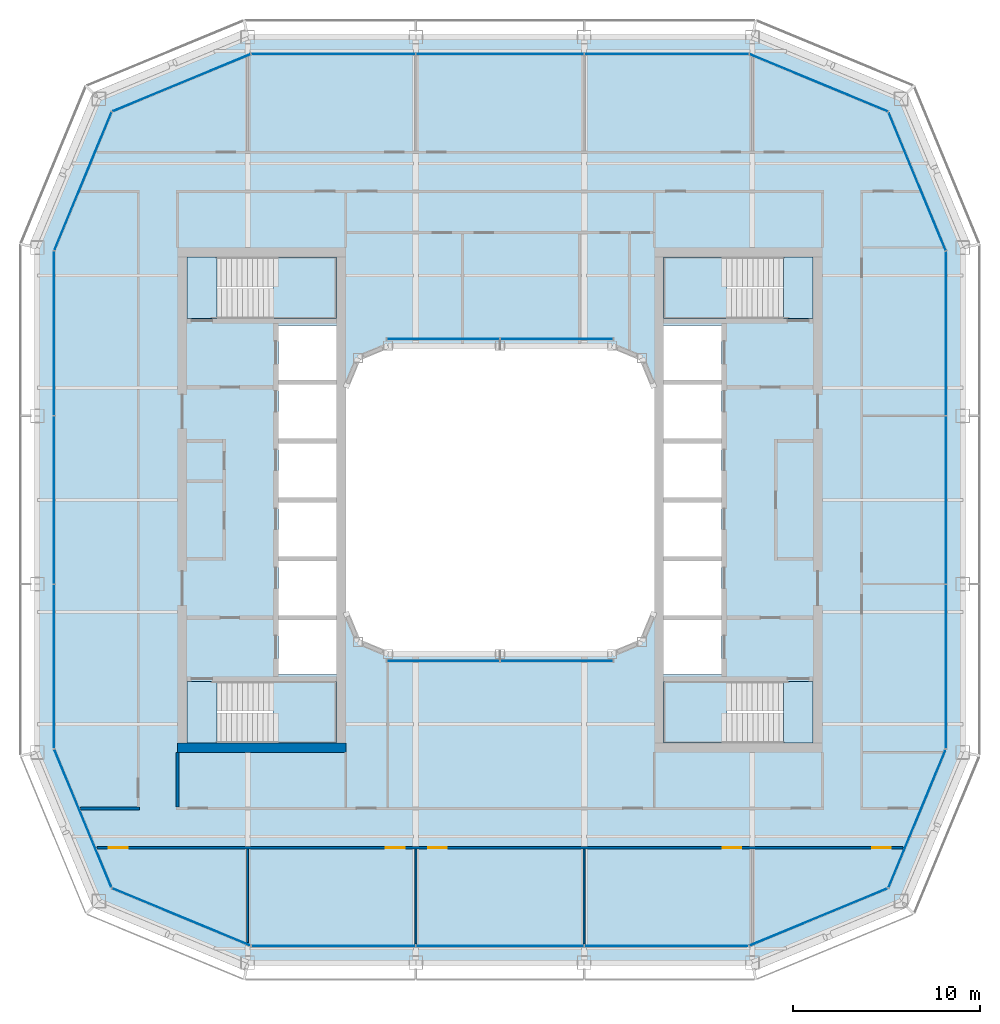
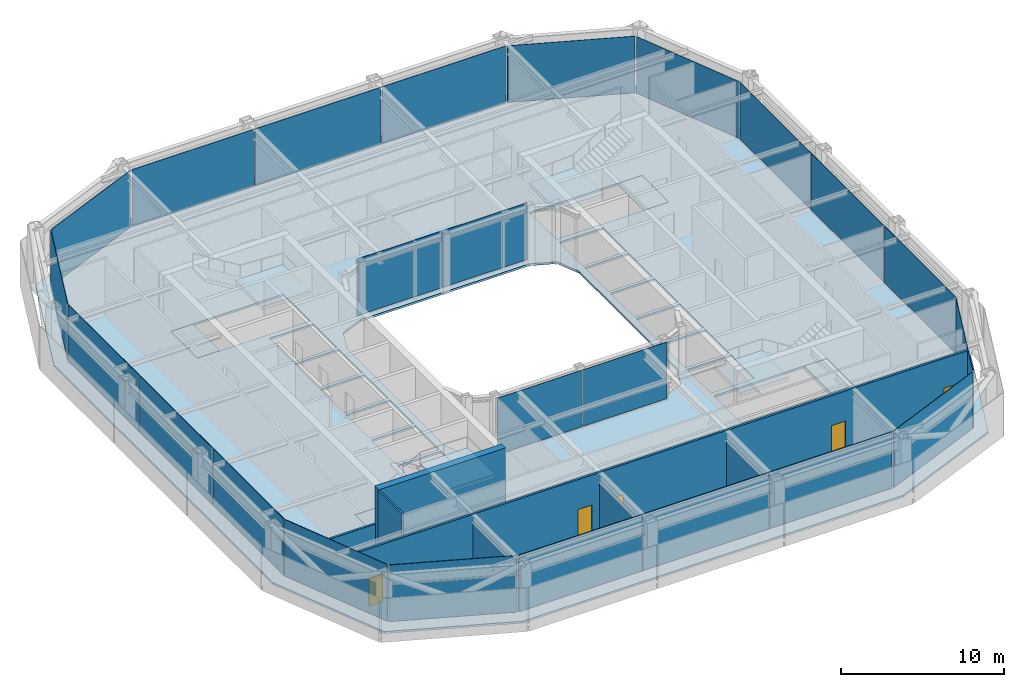
# One storey, part 9 of 17: 24 plates, 9 slabs, 7 walls, 5 doors, 5 openings, 18 elements without a shape of their own.
"""IFC4 building model written with IfcOpenShell, lengths in metres."""

import ifcopenshell
import ifcopenshell.guid

model = None  # the IFC model being written
_history = None  # IfcOwnerHistory: only IFC2X3 demands one
_inside = {}  # id of a spatial element -> (the spatial element, [elements in it])
_under = {}  # id of a project, library or spatial element -> (it, [spatial elements below it])
_declared = {}  # id of a project -> (the project, [libraries it declares])
_typed = {}  # id of a type object -> (the type object, [elements of that type])
_made_of = {}  # id of a material, layer set ... -> (it, [elements and type objects made of it])


def new_model(schema):
    """Start an empty IFC model of exactly this schema.

    Asked for "IFC4X3", IfcOpenShell would pick the latest addendum, in which some entities
    have other attributes; the version numbers below select the first issue.
    IFC2X3 requires an IfcOwnerHistory on every rooted entity: one is made here for all.
    """
    global model, _history
    if schema == "IFC4X3":
        model = ifcopenshell.file(schema_version=(4, 3, 0, 0))
    else:
        model = ifcopenshell.file(schema=schema)
    _inside.clear()
    _under.clear()
    _declared.clear()
    _typed.clear()
    _made_of.clear()
    _history = None
    if model.schema == "IFC2X3":
        org = make("IfcOrganization", Name="unknown")
        user = make(
            "IfcPersonAndOrganization",
            ThePerson=make("IfcPerson", FamilyName="unknown"),
            TheOrganization=org,
        )
        app = make(
            "IfcApplication",
            ApplicationDeveloper=org,
            Version="unknown",
            ApplicationFullName="unknown",
            ApplicationIdentifier="unknown",
        )
        _history = make(
            "IfcOwnerHistory",
            OwningUser=user,
            OwningApplication=app,
            ChangeAction="ADDED",
            CreationDate=0,
        )
    return model


def make(cls, **values):
    """One entity of the class cls with the attributes given. An attribute that is None is left unset."""
    return model.create_entity(
        cls, **{name: value for name, value in values.items() if value is not None}
    )


def rooted(cls, **values):
    """An entity with a GlobalId (a new one), such as an element, a storey or a relation."""
    return make(cls, GlobalId=ifcopenshell.guid.new(), OwnerHistory=_history, **values)


def si_unit(unit_type, name, prefix=None):
    """IfcSIUnit, for example si_unit("LENGTHUNIT", "METRE", prefix="MILLI")."""
    return make("IfcSIUnit", UnitType=unit_type, Prefix=prefix, Name=name)


def assignment(units):
    """IfcUnitAssignment: the units of a project."""
    return None if units is None else make("IfcUnitAssignment", Units=units)


def point(xyz):
    """IfcCartesianPoint."""
    return None if xyz is None else make("IfcCartesianPoint", Coordinates=xyz)


def direction(xyz):
    """IfcDirection."""
    return None if xyz is None else make("IfcDirection", DirectionRatios=xyz)


def frame(location, z_axis=None, x_axis=None):
    """IfcAxis2Placement3D, a coordinate frame: its origin and axes. An axis left out is left unset."""
    return make(
        "IfcAxis2Placement3D",
        Location=point(location),
        Axis=direction(z_axis),
        RefDirection=direction(x_axis),
    )


def frame_2d(location, x_axis=None):
    """IfcAxis2Placement2D, a coordinate frame in the plane: its origin and x axis."""
    return make(
        "IfcAxis2Placement2D", Location=point(location), RefDirection=direction(x_axis)
    )


def origin():
    """The frame at (0, 0, 0) with its axes left unset."""
    return frame((0.0, 0.0, 0.0))


def origin_2d():
    """The frame at (0, 0) in the plane with its x axis left unset."""
    return frame_2d((0.0, 0.0))


def place(relative_to, where):
    """IfcLocalPlacement: puts the frame where relative to a parent placement (None: the world)."""
    return make(
        "IfcLocalPlacement", PlacementRelTo=relative_to, RelativePlacement=where
    )


def context(
    kind, dimensions, precision=None, world=None, true_north=None, identifier=None
):
    """IfcGeometricRepresentationContext, for example the 3D "Model" context."""
    return make(
        "IfcGeometricRepresentationContext",
        ContextIdentifier=identifier,
        ContextType=kind,
        CoordinateSpaceDimension=dimensions,
        Precision=precision,
        WorldCoordinateSystem=world,
        TrueNorth=true_north,
    )


def subcontext(parent, identifier, kind, view, scale=None):
    """IfcGeometricRepresentationSubContext, for example "Body" below "Model"."""
    return make(
        "IfcGeometricRepresentationSubContext",
        ContextIdentifier=identifier,
        ContextType=kind,
        ParentContext=parent,
        TargetScale=scale,
        TargetView=view,
    )


def project(units=None, contexts=None):
    """IfcProject with its units and contexts."""
    return rooted(
        "IfcProject",
        Name="project",
        RepresentationContexts=contexts,
        UnitsInContext=assignment(units),
    )


def spatial(cls, under=None, at=None, **own):
    """A site, building, storey or space (cls), placed at a placement, below another one or the project."""
    s = rooted(cls, ObjectPlacement=at, **own)
    if under is not None:
        _under.setdefault(under.id(), (under, []))[1].append(s)
    return s


def polyline(points):
    """IfcPolyline through the points."""
    return make("IfcPolyline", Points=[point(p) for p in points])


def profile(cls, at=None, kind="AREA", **sizes):
    """A parametric profile (cls). Its sizes go by their IFC names, for example OverallWidth=200.0."""
    return make(cls, ProfileType=kind, Position=at, **sizes)


def rectangle(**sizes):
    """IfcRectangleProfileDef."""
    return profile("IfcRectangleProfileDef", **sizes)


def outline(outer, holes=None, kind="AREA"):
    """IfcArbitraryClosedProfileDef: a profile drawn as a closed curve; with holes, ...WithVoids."""
    if holes is None:
        return make("IfcArbitraryClosedProfileDef", ProfileType=kind, OuterCurve=outer)
    return make(
        "IfcArbitraryProfileDefWithVoids",
        ProfileType=kind,
        OuterCurve=outer,
        InnerCurves=holes,
    )


def extrude(swept, where, along, depth):
    """IfcExtrudedAreaSolid: the profile swept, set in the frame where, extruded along a direction by depth."""
    return make(
        "IfcExtrudedAreaSolid",
        SweptArea=swept,
        Position=where,
        ExtrudedDirection=direction(along),
        Depth=depth,
    )


def shape(context_of_items, identifier, shape_type, items):
    """IfcShapeRepresentation: the items that make up one representation, for example the "Body"."""
    return make(
        "IfcShapeRepresentation",
        ContextOfItems=context_of_items,
        RepresentationIdentifier=identifier,
        RepresentationType=shape_type,
        Items=items,
    )


def material(Name=None, Category=None):
    """IfcMaterial."""
    return make("IfcMaterial", Name=Name, Category=Category)


def layer(
    of_material, thickness, ventilated=None, Name=None, Category=None, Priority=None
):
    """IfcMaterialLayer: one layer of a wall or slab, of a material (None: an air gap)."""
    return make(
        "IfcMaterialLayer",
        Material=of_material,
        LayerThickness=thickness,
        IsVentilated=ventilated,
        Name=Name,
        Category=Category,
        Priority=Priority,
    )


def layer_set(layers, Name=None):
    """IfcMaterialLayerSet."""
    return make("IfcMaterialLayerSet", MaterialLayers=layers, LayerSetName=Name)


def made_of(thing, what):
    """Note that an element or type object is made of a material, layer set ...; save() writes the relation."""
    if what is not None:
        _made_of.setdefault(what.id(), (what, []))[1].append(thing)
    return thing


def type_object(cls, material=None, **own):
    """A type object (cls), such as IfcWallType, which elements share."""
    return made_of(rooted(cls, **own), material)


def element(
    cls,
    number,
    at=None,
    inside=None,
    cuts=None,
    type_object=None,
    material=None,
    context=None,
    identifier="Body",
    shape_type=None,
    held_by="IfcProductDefinitionShape",
    body=None,
    shapes=None,
    **own,
):
    """One element of the class cls, such as IfcWall. Its Tag is "e" and its number.

    at: its placement. inside: the storey or other place that contains it. cuts: it is an
    opening in that element (IfcRelVoidsElement). A single representation is given by context,
    identifier, shape_type and body (its items); several are given by shapes. held_by: the class
    of the entity that holds the representations. save() writes the other relations.
    """
    e = rooted(cls, Tag="e%d" % number, ObjectPlacement=at, **own)
    if body is not None:
        shapes = [shape(context, identifier, shape_type, body)]
    if shapes is not None:
        e.Representation = make(held_by, Representations=shapes)
    if inside is not None:
        _inside.setdefault(inside.id(), (inside, []))[1].append(e)
    if cuts is not None:
        rooted(
            "IfcRelVoidsElement", RelatingBuildingElement=cuts, RelatedOpeningElement=e
        )
    if type_object is not None:
        _typed.setdefault(type_object.id(), (type_object, []))[1].append(e)
    return made_of(e, material)


def fill(opening, filler):
    """IfcRelFillsElement: the door or window that sits in an opening."""
    return rooted(
        "IfcRelFillsElement",
        RelatingOpeningElement=opening,
        RelatedBuildingElement=filler,
    )


def aggregate(whole, parts):
    """IfcRelAggregates: a whole, such as a stair, and the parts it consists of."""
    return rooted("IfcRelAggregates", RelatingObject=whole, RelatedObjects=parts)


def save(model, path):
    """Write the relations noted so far, then the file.

    IfcRelAggregates (storeys below a building ...), IfcRelContainedInSpatialStructure (elements
    in a storey), IfcRelDefinesByType, IfcRelAssociatesMaterial and IfcRelDeclares: one each for
    every whole, place, type object, material and project.
    """
    for whole, parts in _under.values():
        aggregate(whole, parts)
    for where, things in _inside.values():
        rooted(
            "IfcRelContainedInSpatialStructure",
            RelatedElements=things,
            RelatingStructure=where,
        )
    for kind, things in _typed.values():
        rooted("IfcRelDefinesByType", RelatedObjects=things, RelatingType=kind)
    for what, things in _made_of.values():
        rooted("IfcRelAssociatesMaterial", RelatedObjects=things, RelatingMaterial=what)
    for by, libraries in _declared.values():
        rooted("IfcRelDeclares", RelatingContext=by, RelatedDefinitions=libraries)
    model.write(path)


model = new_model("IFC4")

# Units and contexts
model_context = context("Model", 3, precision=1e-05, world=origin(), true_north=direction((0.0, 1.0)))
body_context = subcontext(model_context, "Body", "Model", "MODEL_VIEW")
ifc_project = project(units=[si_unit("LENGTHUNIT", "METRE"), si_unit("AREAUNIT", "SQUARE_METRE"), si_unit("VOLUMEUNIT", "CUBIC_METRE"), si_unit("PLANEANGLEUNIT", "RADIAN"), si_unit("MASSUNIT", "GRAM", prefix="KILO")], contexts=[model_context])

# Site, building, storey
site_placement = place(None, origin())
site = spatial("IfcSite", under=ifc_project, at=site_placement, CompositionType="ELEMENT")
building_placement = place(site_placement, origin())
building = spatial("IfcBuilding", under=site, at=building_placement, Name="Siwar Civic Tower", CompositionType="ELEMENT")
storey_placement = place(building_placement, frame((0.0, 0.0, 289.699951171875)))
storey = spatial("IfcBuildingStorey", under=building, at=storey_placement, Name="L62", CompositionType="ELEMENT", Elevation=289.699951171875)

# Stair, slabs
ifc_material_1 = material(Name="Concrete C40/50", Category="concrete")
stair_type = type_object("IfcStairType", Name="CORE-STAIR", PredefinedType="TWO_STRAIGHT_RUN_STAIR", material=ifc_material_1)
stair_1_placement = place(storey_placement, origin())
stair_1 = element("IfcStair", 1, at=stair_1_placement, inside=storey, type_object=stair_type, Name="Exit stair ST1", PredefinedType="TWO_STRAIGHT_RUN_STAIR")
ifc_material_2 = material(Name="Concrete C40/50", Category="concrete")
ifc_layer_1 = layer(ifc_material_2, 0.300048828125)
ifc_layer_set_1 = layer_set([ifc_layer_1], Name="Concrete C40/50")
slab_type_1 = type_object("IfcSlabType", Name="CORE-STAIR-LANDING", PredefinedType="LANDING", material=ifc_layer_set_1)
slab_1_placement = place(storey_placement, frame((0.0, 0.0, -0.300048828125)))
slab_1 = element("IfcSlab", 2, at=slab_1_placement, type_object=slab_type_1, Name="ST1 landing 1", PredefinedType="LANDING", context=body_context, shape_type="SweptSolid", body=[
    extrude(outline(polyline([(-15.14990234375, 13.0), (-16.75, 13.0), (-16.75, 9.699951171875), (-15.14990234375, 9.699951171875), (-15.14990234375, 13.0)])), origin(), (0.0, 0.0, 1.0), 0.300048828125),
])
slab_2_placement = place(storey_placement, frame((0.0, 0.0, 1.949951171875)))
slab_2 = element("IfcSlab", 3, at=slab_2_placement, type_object=slab_type_1, Name="ST1 landing 2", PredefinedType="LANDING", context=body_context, shape_type="SweptSolid", body=[
    extrude(outline(polyline([(-8.75, 13.0), (-12.139892578125, 13.0), (-12.139892578125, 9.699951171875), (-8.75, 9.699951171875), (-8.75, 13.0)])), origin(), (0.0, 0.0, 1.0), 0.300048828125),
])
aggregate(stair_1, [slab_1, slab_2])

stair_2_placement = place(storey_placement, origin())
stair_2 = element("IfcStair", 4, at=stair_2_placement, inside=storey, type_object=stair_type, Name="Exit stair ST2", PredefinedType="TWO_STRAIGHT_RUN_STAIR")
slab_3_placement = place(storey_placement, frame((0.0, 0.0, -0.300048828125)))
slab_3 = element("IfcSlab", 5, at=slab_3_placement, type_object=slab_type_1, Name="ST2 landing 1", PredefinedType="LANDING", context=body_context, shape_type="SweptSolid", body=[
    extrude(outline(polyline([(-15.14990234375, -9.699951171875), (-16.75, -9.699951171875), (-16.75, -13.0), (-15.14990234375, -13.0), (-15.14990234375, -9.699951171875)])), origin(), (0.0, 0.0, 1.0), 0.300048828125),
])
slab_4_placement = place(storey_placement, frame((0.0, 0.0, 1.949951171875)))
slab_4 = element("IfcSlab", 6, at=slab_4_placement, type_object=slab_type_1, Name="ST2 landing 2", PredefinedType="LANDING", context=body_context, shape_type="SweptSolid", body=[
    extrude(outline(polyline([(-8.75, -9.699951171875), (-12.139892578125, -9.699951171875), (-12.139892578125, -13.0), (-8.75, -13.0), (-8.75, -9.699951171875)])), origin(), (0.0, 0.0, 1.0), 0.300048828125),
])
aggregate(stair_2, [slab_3, slab_4])

stair_3_placement = place(storey_placement, origin())
stair_3 = element("IfcStair", 7, at=stair_3_placement, inside=storey, type_object=stair_type, Name="Exit stair ST3", PredefinedType="TWO_STRAIGHT_RUN_STAIR")
slab_5_placement = place(storey_placement, frame((0.0, 0.0, -0.300048828125)))
slab_5 = element("IfcSlab", 8, at=slab_5_placement, type_object=slab_type_1, Name="ST3 landing 1", PredefinedType="LANDING", context=body_context, shape_type="SweptSolid", body=[
    extrude(outline(polyline([(15.14990234375, 9.699951171875), (16.75, 9.699951171875), (16.75, 13.0), (15.14990234375, 13.0), (15.14990234375, 9.699951171875)])), origin(), (0.0, 0.0, 1.0), 0.300048828125),
])
slab_6_placement = place(storey_placement, frame((0.0, 0.0, 1.949951171875)))
slab_6 = element("IfcSlab", 9, at=slab_6_placement, type_object=slab_type_1, Name="ST3 landing 2", PredefinedType="LANDING", context=body_context, shape_type="SweptSolid", body=[
    extrude(outline(polyline([(8.75, 9.699951171875), (12.139892578125, 9.699951171875), (12.139892578125, 13.0), (8.75, 13.0), (8.75, 9.699951171875)])), origin(), (0.0, 0.0, 1.0), 0.300048828125),
])
aggregate(stair_3, [slab_5, slab_6])

stair_4_placement = place(storey_placement, origin())
stair_4 = element("IfcStair", 10, at=stair_4_placement, inside=storey, type_object=stair_type, Name="Exit stair ST4", PredefinedType="TWO_STRAIGHT_RUN_STAIR")
slab_7_placement = place(storey_placement, frame((0.0, 0.0, -0.300048828125)))
slab_7 = element("IfcSlab", 11, at=slab_7_placement, type_object=slab_type_1, Name="ST4 landing 1", PredefinedType="LANDING", context=body_context, shape_type="SweptSolid", body=[
    extrude(outline(polyline([(15.14990234375, -13.0), (16.75, -13.0), (16.75, -9.699951171875), (15.14990234375, -9.699951171875), (15.14990234375, -13.0)])), origin(), (0.0, 0.0, 1.0), 0.300048828125),
])
slab_8_placement = place(storey_placement, frame((0.0, 0.0, 1.949951171875)))
slab_8 = element("IfcSlab", 12, at=slab_8_placement, type_object=slab_type_1, Name="ST4 landing 2", PredefinedType="LANDING", context=body_context, shape_type="SweptSolid", body=[
    extrude(outline(polyline([(8.75, -13.0), (12.139892578125, -13.0), (12.139892578125, -9.699951171875), (8.75, -9.699951171875), (8.75, -13.0)])), origin(), (0.0, 0.0, 1.0), 0.300048828125),
])
aggregate(stair_4, [slab_7, slab_8])

# Curtain wall, plates
ifc_material_3 = material(Name="Aluminium and glass", Category="aluminium")
ifc_layer_2 = layer(ifc_material_3, 0.159912109375)
ifc_layer_set_2 = layer_set([ifc_layer_2], Name="Aluminium and glass")
curtain_wall_type_1 = type_object("IfcCurtainWallType", Name="ENV-CW-D", PredefinedType="NOTDEFINED", material=ifc_layer_set_2)
curtain_wall_1_placement = place(storey_placement, origin())
curtain_wall_1 = element("IfcCurtainWall", 13, at=curtain_wall_1_placement, inside=storey, type_object=curtain_wall_type_1, Name="Curtain wall D S", PredefinedType="NOTDEFINED")
ifc_material_4 = material(Name="Glass clear laminated", Category="glass")
ifc_layer_3 = layer(ifc_material_4, 0.030029296875)
ifc_layer_set_3 = layer_set([ifc_layer_3], Name="Glass clear laminated")
plate_type_1 = type_object("IfcPlateType", Name="ENV-PANEL-D", PredefinedType="CURTAIN_PANEL", material=ifc_layer_set_3)
plate_1_placement = place(storey_placement, frame((-8.910400390625, -23.85009765625, 0.10009765625), z_axis=(0.0, 0.0, 1.0), x_axis=(1.0, 0.0, 0.0)))
plate_1 = element("IfcPlate", 14, at=plate_1_placement, type_object=plate_type_1, Name="Curtain panel D S 1", PredefinedType="CURTAIN_PANEL", context=body_context, shape_type="SweptSolid", body=[
    extrude(rectangle(XDim=8.760986328125, YDim=0.030029296875, at=origin_2d()), origin(), (0.0, 0.0, 1.0), 4.25),
])
plate_2_placement = place(storey_placement, frame((0.0, -23.85009765625, 0.10009765625), z_axis=(0.0, 0.0, 1.0), x_axis=(1.0, 0.0, 0.0)))
plate_2 = element("IfcPlate", 15, at=plate_2_placement, type_object=plate_type_1, Name="Curtain panel D S 2", PredefinedType="CURTAIN_PANEL", context=body_context, shape_type="SweptSolid", body=[
    extrude(rectangle(XDim=8.93994140625, YDim=0.030029296875, at=origin_2d()), origin(), (0.0, 0.0, 1.0), 4.25),
])
plate_3_placement = place(storey_placement, frame((8.876708984375, -23.85009765625, 0.10009765625), z_axis=(0.0, 0.0, 1.0), x_axis=(1.0, 0.0, 0.0)))
plate_3 = element("IfcPlate", 16, at=plate_3_placement, type_object=plate_type_1, Name="Curtain panel D S 3", PredefinedType="CURTAIN_PANEL", context=body_context, shape_type="SweptSolid", body=[
    extrude(rectangle(XDim=8.693115234375, YDim=0.030029296875, at=origin_2d()), origin(), (0.0, 0.0, 1.0), 4.25),
])
aggregate(curtain_wall_1, [plate_1, plate_2, plate_3])

curtain_wall_2_placement = place(storey_placement, origin())
curtain_wall_2 = element("IfcCurtainWall", 17, at=curtain_wall_2_placement, inside=storey, type_object=curtain_wall_type_1, Name="Curtain wall D E", PredefinedType="NOTDEFINED")
plate_4_placement = place(storey_placement, frame((23.85009765625, -8.910400390625, 0.10009765625), z_axis=(0.0, 0.0, 1.0), x_axis=(0.0, 1.0, 0.0)))
plate_4 = element("IfcPlate", 18, at=plate_4_placement, type_object=plate_type_1, Name="Curtain panel D E 1", PredefinedType="CURTAIN_PANEL", context=body_context, shape_type="SweptSolid", body=[
    extrude(rectangle(XDim=8.760986328125, YDim=0.030029296875, at=origin_2d()), origin(), (0.0, 0.0, 1.0), 4.25),
])
plate_5_placement = place(storey_placement, frame((23.85009765625, 0.0, 0.10009765625), z_axis=(0.0, 0.0, 1.0), x_axis=(0.0, 1.0, 0.0)))
plate_5 = element("IfcPlate", 19, at=plate_5_placement, type_object=plate_type_1, Name="Curtain panel D E 2", PredefinedType="CURTAIN_PANEL", context=body_context, shape_type="SweptSolid", body=[
    extrude(rectangle(XDim=8.93994140625, YDim=0.030029296875, at=origin_2d()), origin(), (0.0, 0.0, 1.0), 4.25),
])
plate_6_placement = place(storey_placement, frame((23.85009765625, 8.876708984375, 0.10009765625), z_axis=(0.0, 0.0, 1.0), x_axis=(0.0, 1.0, 0.0)))
plate_6 = element("IfcPlate", 20, at=plate_6_placement, type_object=plate_type_1, Name="Curtain panel D E 3", PredefinedType="CURTAIN_PANEL", context=body_context, shape_type="SweptSolid", body=[
    extrude(rectangle(XDim=8.693115234375, YDim=0.030029296875, at=origin_2d()), origin(), (0.0, 0.0, 1.0), 4.25),
])
aggregate(curtain_wall_2, [plate_4, plate_5, plate_6])

curtain_wall_3_placement = place(storey_placement, origin())
curtain_wall_3 = element("IfcCurtainWall", 21, at=curtain_wall_3_placement, inside=storey, type_object=curtain_wall_type_1, Name="Curtain wall D N", PredefinedType="NOTDEFINED")
plate_7_placement = place(storey_placement, frame((8.910400390625, 23.85009765625, 0.10009765625), z_axis=(0.0, 0.0, 1.0), x_axis=(-1.0, 0.0, 0.0)))
plate_7 = element("IfcPlate", 22, at=plate_7_placement, type_object=plate_type_1, Name="Curtain panel D N 1", PredefinedType="CURTAIN_PANEL", context=body_context, shape_type="SweptSolid", body=[
    extrude(rectangle(XDim=8.760986328125, YDim=0.030029296875, at=origin_2d()), origin(), (0.0, 0.0, 1.0), 4.25),
])
plate_8_placement = place(storey_placement, frame((0.0, 23.85009765625, 0.10009765625), z_axis=(0.0, 0.0, 1.0), x_axis=(-1.0, 0.0, 0.0)))
plate_8 = element("IfcPlate", 23, at=plate_8_placement, type_object=plate_type_1, Name="Curtain panel D N 2", PredefinedType="CURTAIN_PANEL", context=body_context, shape_type="SweptSolid", body=[
    extrude(rectangle(XDim=8.93994140625, YDim=0.030029296875, at=origin_2d()), origin(), (0.0, 0.0, 1.0), 4.25),
])
plate_9_placement = place(storey_placement, frame((-8.876708984375, 23.85009765625, 0.10009765625), z_axis=(0.0, 0.0, 1.0), x_axis=(-1.0, 0.0, 0.0)))
plate_9 = element("IfcPlate", 24, at=plate_9_placement, type_object=plate_type_1, Name="Curtain panel D N 3", PredefinedType="CURTAIN_PANEL", context=body_context, shape_type="SweptSolid", body=[
    extrude(rectangle(XDim=8.693115234375, YDim=0.030029296875, at=origin_2d()), origin(), (0.0, 0.0, 1.0), 4.25),
])
aggregate(curtain_wall_3, [plate_7, plate_8, plate_9])

curtain_wall_4_placement = place(storey_placement, origin())
curtain_wall_4 = element("IfcCurtainWall", 25, at=curtain_wall_4_placement, inside=storey, type_object=curtain_wall_type_1, Name="Curtain wall D W", PredefinedType="NOTDEFINED")
plate_10_placement = place(storey_placement, frame((-23.85009765625, 8.910400390625, 0.10009765625), z_axis=(0.0, 0.0, 1.0), x_axis=(0.0, -1.0, 0.0)))
plate_10 = element("IfcPlate", 26, at=plate_10_placement, type_object=plate_type_1, Name="Curtain panel D W 1", PredefinedType="CURTAIN_PANEL", context=body_context, shape_type="SweptSolid", body=[
    extrude(rectangle(XDim=8.760986328125, YDim=0.030029296875, at=origin_2d()), origin(), (0.0, 0.0, 1.0), 4.25),
])
plate_11_placement = place(storey_placement, frame((-23.85009765625, 0.0, 0.10009765625), z_axis=(0.0, 0.0, 1.0), x_axis=(0.0, -1.0, 0.0)))
plate_11 = element("IfcPlate", 27, at=plate_11_placement, type_object=plate_type_1, Name="Curtain panel D W 2", PredefinedType="CURTAIN_PANEL", context=body_context, shape_type="SweptSolid", body=[
    extrude(rectangle(XDim=8.93994140625, YDim=0.030029296875, at=origin_2d()), origin(), (0.0, 0.0, 1.0), 4.25),
])
plate_12_placement = place(storey_placement, frame((-23.85009765625, -8.876708984375, 0.10009765625), z_axis=(0.0, 0.0, 1.0), x_axis=(0.0, -1.0, 0.0)))
plate_12 = element("IfcPlate", 28, at=plate_12_placement, type_object=plate_type_1, Name="Curtain panel D W 3", PredefinedType="CURTAIN_PANEL", context=body_context, shape_type="SweptSolid", body=[
    extrude(rectangle(XDim=8.693115234375, YDim=0.030029296875, at=origin_2d()), origin(), (0.0, 0.0, 1.0), 4.25),
])
aggregate(curtain_wall_4, [plate_10, plate_11, plate_12])

# Curtain wall, plate
ifc_material_5 = material(Name="Aluminium clad insulated panel", Category="aluminium")
ifc_layer_4 = layer(ifc_material_5, 0.159912109375)
ifc_layer_set_4 = layer_set([ifc_layer_4], Name="Aluminium clad insulated panel")
curtain_wall_type_2 = type_object("IfcCurtainWallType", Name="ENV-CW-DX", PredefinedType="NOTDEFINED", material=ifc_layer_set_4)
curtain_wall_5_placement = place(storey_placement, origin())
curtain_wall_5 = element("IfcCurtainWall", 29, at=curtain_wall_5_placement, inside=storey, type_object=curtain_wall_type_2, Name="Curtain wall D SE1", PredefinedType="NOTDEFINED")
ifc_material_6 = material(Name="Aluminium clad insulated panel", Category="aluminium")
ifc_layer_5 = layer(ifc_material_6, 0.030029296875)
ifc_layer_set_5 = layer_set([ifc_layer_5], Name="Aluminium clad insulated panel")
plate_type_2 = type_object("IfcPlateType", Name="ENV-PANEL-DX", PredefinedType="CURTAIN_PANEL", material=ifc_layer_set_5)
plate_13_placement = place(storey_placement, frame((17.01220703125, -22.321044921875, 0.10009765625), z_axis=(0.0, 0.0, 1.0), x_axis=(0.923879532511, 0.382683432365, 0.0)))
plate_13 = element("IfcPlate", 30, at=plate_13_placement, type_object=plate_type_2, Name="Curtain panel D SE1 1", PredefinedType="CURTAIN_PANEL", context=body_context, shape_type="SweptSolid", body=[
    extrude(rectangle(XDim=7.9306640625, YDim=0.030029296875, at=origin_2d()), origin(), (0.0, 0.0, 1.0), 4.25),
])
aggregate(curtain_wall_5, [plate_13])

curtain_wall_6_placement = place(storey_placement, origin())
curtain_wall_6 = element("IfcCurtainWall", 31, at=curtain_wall_6_placement, inside=storey, type_object=curtain_wall_type_2, Name="Curtain wall D SE2", PredefinedType="NOTDEFINED")
plate_14_placement = place(storey_placement, frame((22.295166015625, -17.074951171875, 0.10009765625), z_axis=(0.0, 0.0, 1.0), x_axis=(0.382683432365, 0.923879532511, 0.0)))
plate_14 = element("IfcPlate", 32, at=plate_14_placement, type_object=plate_type_2, Name="Curtain panel D SE2 1", PredefinedType="CURTAIN_PANEL", context=body_context, shape_type="SweptSolid", body=[
    extrude(rectangle(XDim=7.9306640625, YDim=0.030029296875, at=origin_2d()), origin(), (0.0, 0.0, 1.0), 4.25),
])
aggregate(curtain_wall_6, [plate_14])

curtain_wall_7_placement = place(storey_placement, origin())
curtain_wall_7 = element("IfcCurtainWall", 33, at=curtain_wall_7_placement, inside=storey, type_object=curtain_wall_type_2, Name="Curtain wall D NE1", PredefinedType="NOTDEFINED")
plate_15_placement = place(storey_placement, frame((22.321044921875, 17.01220703125, 0.10009765625), z_axis=(0.0, 0.0, 1.0), x_axis=(-0.382683432365, 0.923879532511, 0.0)))
plate_15 = element("IfcPlate", 34, at=plate_15_placement, type_object=plate_type_2, Name="Curtain panel D NE1 1", PredefinedType="CURTAIN_PANEL", context=body_context, shape_type="SweptSolid", body=[
    extrude(rectangle(XDim=7.9306640625, YDim=0.030029296875, at=origin_2d()), origin(), (0.0, 0.0, 1.0), 4.25),
])
aggregate(curtain_wall_7, [plate_15])

curtain_wall_8_placement = place(storey_placement, origin())
curtain_wall_8 = element("IfcCurtainWall", 35, at=curtain_wall_8_placement, inside=storey, type_object=curtain_wall_type_2, Name="Curtain wall D NE2", PredefinedType="NOTDEFINED")
plate_16_placement = place(storey_placement, frame((17.074951171875, 22.295166015625, 0.10009765625), z_axis=(0.0, 0.0, 1.0), x_axis=(-0.923879532511, 0.382683432365, 0.0)))
plate_16 = element("IfcPlate", 36, at=plate_16_placement, type_object=plate_type_2, Name="Curtain panel D NE2 1", PredefinedType="CURTAIN_PANEL", context=body_context, shape_type="SweptSolid", body=[
    extrude(rectangle(XDim=7.9306640625, YDim=0.030029296875, at=origin_2d()), origin(), (0.0, 0.0, 1.0), 4.25),
])
aggregate(curtain_wall_8, [plate_16])

curtain_wall_9_placement = place(storey_placement, origin())
curtain_wall_9 = element("IfcCurtainWall", 37, at=curtain_wall_9_placement, inside=storey, type_object=curtain_wall_type_2, Name="Curtain wall D NW1", PredefinedType="NOTDEFINED")
plate_17_placement = place(storey_placement, frame((-17.01220703125, 22.321044921875, 0.10009765625), z_axis=(0.0, 0.0, 1.0), x_axis=(-0.923879532511, -0.382683432365, 0.0)))
plate_17 = element("IfcPlate", 38, at=plate_17_placement, type_object=plate_type_2, Name="Curtain panel D NW1 1", PredefinedType="CURTAIN_PANEL", context=body_context, shape_type="SweptSolid", body=[
    extrude(rectangle(XDim=7.9306640625, YDim=0.030029296875, at=origin_2d()), origin(), (0.0, 0.0, 1.0), 4.25),
])
aggregate(curtain_wall_9, [plate_17])

curtain_wall_10_placement = place(storey_placement, origin())
curtain_wall_10 = element("IfcCurtainWall", 39, at=curtain_wall_10_placement, inside=storey, type_object=curtain_wall_type_2, Name="Curtain wall D NW2", PredefinedType="NOTDEFINED")
plate_18_placement = place(storey_placement, frame((-22.295166015625, 17.074951171875, 0.10009765625), z_axis=(0.0, 0.0, 1.0), x_axis=(-0.382683432365, -0.923879532511, 0.0)))
plate_18 = element("IfcPlate", 40, at=plate_18_placement, type_object=plate_type_2, Name="Curtain panel D NW2 1", PredefinedType="CURTAIN_PANEL", context=body_context, shape_type="SweptSolid", body=[
    extrude(rectangle(XDim=7.9306640625, YDim=0.030029296875, at=origin_2d()), origin(), (0.0, 0.0, 1.0), 4.25),
])
aggregate(curtain_wall_10, [plate_18])

curtain_wall_11_placement = place(storey_placement, origin())
curtain_wall_11 = element("IfcCurtainWall", 41, at=curtain_wall_11_placement, inside=storey, type_object=curtain_wall_type_2, Name="Curtain wall D SW1", PredefinedType="NOTDEFINED")
plate_19_placement = place(storey_placement, frame((-22.321044921875, -17.01220703125, 0.10009765625), z_axis=(0.0, 0.0, 1.0), x_axis=(0.382683432365, -0.923879532511, 0.0)))
plate_19 = element("IfcPlate", 42, at=plate_19_placement, type_object=plate_type_2, Name="Curtain panel D SW1 1", PredefinedType="CURTAIN_PANEL", context=body_context, shape_type="SweptSolid", body=[
    extrude(rectangle(XDim=7.9306640625, YDim=0.030029296875, at=origin_2d()), origin(), (0.0, 0.0, 1.0), 4.25),
])
aggregate(curtain_wall_11, [plate_19])

curtain_wall_12_placement = place(storey_placement, origin())
curtain_wall_12 = element("IfcCurtainWall", 43, at=curtain_wall_12_placement, inside=storey, type_object=curtain_wall_type_2, Name="Curtain wall D SW2", PredefinedType="NOTDEFINED")
plate_20_placement = place(storey_placement, frame((-17.074951171875, -22.295166015625, 0.10009765625), z_axis=(0.0, 0.0, 1.0), x_axis=(0.923879532511, -0.382683432365, 0.0)))
plate_20 = element("IfcPlate", 44, at=plate_20_placement, type_object=plate_type_2, Name="Curtain panel D SW2 1", PredefinedType="CURTAIN_PANEL", context=body_context, shape_type="SweptSolid", body=[
    extrude(rectangle(XDim=7.9306640625, YDim=0.030029296875, at=origin_2d()), origin(), (0.0, 0.0, 1.0), 4.25),
])
aggregate(curtain_wall_12, [plate_20])

# Curtain wall, plates
ifc_material_7 = material(Name="Aluminium and glass", Category="aluminium")
ifc_layer_6 = layer(ifc_material_7, 0.179931640625)
ifc_layer_set_6 = layer_set([ifc_layer_6], Name="Aluminium and glass")
curtain_wall_type_3 = type_object("IfcCurtainWallType", Name="ENV-CW-W", PredefinedType="NOTDEFINED", material=ifc_layer_set_6)
curtain_wall_13_placement = place(storey_placement, origin())
curtain_wall_13 = element("IfcCurtainWall", 45, at=curtain_wall_13_placement, inside=storey, type_object=curtain_wall_type_3, Name="Curtain wall W WS", PredefinedType="NOTDEFINED")
ifc_material_8 = material(Name="Glass clear laminated", Category="glass")
ifc_layer_7 = layer(ifc_material_8, 0.031982421875)
ifc_layer_set_7 = layer_set([ifc_layer_7], Name="Glass clear laminated")
plate_type_3 = type_object("IfcPlateType", Name="ENV-PANEL-W", PredefinedType="CURTAIN_PANEL", material=ifc_layer_set_7)
plate_21_placement = place(storey_placement, frame((-3.035888671875, -8.610107421875, 0.10009765625), z_axis=(0.0, 0.0, 1.0), x_axis=(1.0, 0.0, 0.0)))
plate_21 = element("IfcPlate", 46, at=plate_21_placement, type_object=plate_type_3, Name="Curtain panel W WS 1", PredefinedType="CURTAIN_PANEL", context=body_context, shape_type="SweptSolid", body=[
    extrude(rectangle(XDim=6.01171875, YDim=0.031982421875, at=origin_2d()), origin(), (0.0, 0.0, 1.0), 4.25),
])
plate_22_placement = place(storey_placement, frame((3.035888671875, -8.610107421875, 0.10009765625), z_axis=(0.0, 0.0, 1.0), x_axis=(1.0, 0.0, 0.0)))
plate_22 = element("IfcPlate", 47, at=plate_22_placement, type_object=plate_type_3, Name="Curtain panel W WS 2", PredefinedType="CURTAIN_PANEL", context=body_context, shape_type="SweptSolid", body=[
    extrude(rectangle(XDim=6.01171875, YDim=0.031982421875, at=origin_2d()), origin(), (0.0, 0.0, 1.0), 4.25),
])
aggregate(curtain_wall_13, [plate_21, plate_22])

curtain_wall_14_placement = place(storey_placement, origin())
curtain_wall_14 = element("IfcCurtainWall", 48, at=curtain_wall_14_placement, inside=storey, type_object=curtain_wall_type_3, Name="Curtain wall W WN", PredefinedType="NOTDEFINED")
plate_23_placement = place(storey_placement, frame((3.035888671875, 8.610107421875, 0.10009765625), z_axis=(0.0, 0.0, 1.0), x_axis=(-1.0, 0.0, 0.0)))
plate_23 = element("IfcPlate", 49, at=plate_23_placement, type_object=plate_type_3, Name="Curtain panel W WN 1", PredefinedType="CURTAIN_PANEL", context=body_context, shape_type="SweptSolid", body=[
    extrude(rectangle(XDim=6.01171875, YDim=0.031982421875, at=origin_2d()), origin(), (0.0, 0.0, 1.0), 4.25),
])
plate_24_placement = place(storey_placement, frame((-3.035888671875, 8.610107421875, 0.10009765625), z_axis=(0.0, 0.0, 1.0), x_axis=(-1.0, 0.0, 0.0)))
plate_24 = element("IfcPlate", 50, at=plate_24_placement, type_object=plate_type_3, Name="Curtain panel W WN 2", PredefinedType="CURTAIN_PANEL", context=body_context, shape_type="SweptSolid", body=[
    extrude(rectangle(XDim=6.01171875, YDim=0.031982421875, at=origin_2d()), origin(), (0.0, 0.0, 1.0), 4.25),
])
aggregate(curtain_wall_14, [plate_23, plate_24])

# Slab
ifc_material_9 = material(Name="Concrete C40/50", Category="concrete")
ifc_layer_8 = layer(ifc_material_9, 0.14990234375)
ifc_layer_set_8 = layer_set([ifc_layer_8], Name="Concrete C40/50")
slab_type_2 = type_object("IfcSlabType", Name="STR-FLOOR-DECK-150", PredefinedType="FLOOR", material=ifc_layer_set_8)
slab_9_placement = place(storey_placement, frame((0.0, 0.0, -0.14990234375)))
element("IfcSlab", 51, at=slab_9_placement, inside=storey, type_object=slab_type_2, Name="L62/slab/1", PredefinedType="FLOOR", context=body_context, shape_type="SweptSolid", body=[
    extrude(outline(polyline([(-13.5, -24.75), (13.5, -24.75), (21.454833984375, -21.454833984375), (24.75, -13.5), (24.75, 13.5), (21.454833984375, 21.454833984375), (13.5, 24.75), (-13.5, 24.75), (-21.454833984375, 21.454833984375), (-24.75, 13.5), (-24.75, -13.5), (-21.454833984375, -21.454833984375), (-13.5, -24.75)]), holes=[polyline([(16.75, 13.0), (16.75, 9.699951171875), (8.75, 9.699951171875), (8.75, 13.0), (16.75, 13.0)]), polyline([(8.75, -9.699951171875), (16.75, -9.699951171875), (16.75, -13.0), (8.75, -13.0), (8.75, -9.699951171875)]), polyline([(11.85009765625, 9.324951171875), (11.85009765625, 6.425048828125), (8.75, 6.425048828125), (8.75, 9.324951171875), (11.85009765625, 9.324951171875)]), polyline([(8.75, 6.175048828125), (11.85009765625, 6.175048828125), (11.85009765625, 3.27490234375), (8.75, 3.27490234375), (8.75, 6.175048828125)]), polyline([(8.75, 3.02490234375), (11.85009765625, 3.02490234375), (11.85009765625, 0.125), (8.75, 0.125), (8.75, 3.02490234375)]), polyline([(8.75, -0.125), (11.85009765625, -0.125), (11.85009765625, -3.02490234375), (8.75, -3.02490234375), (8.75, -0.125)]), polyline([(8.75, -3.27490234375), (11.85009765625, -3.27490234375), (11.85009765625, -6.175048828125), (8.75, -6.175048828125), (8.75, -3.27490234375)]), polyline([(8.75, -6.425048828125), (11.85009765625, -6.425048828125), (11.85009765625, -9.324951171875), (8.75, -9.324951171875), (8.75, -6.425048828125)]), polyline([(-6.0, 8.25), (6.0, 8.25), (7.591064453125, 7.591064453125), (8.25, 6.0), (8.25, -6.0), (7.591064453125, -7.591064453125), (6.0, -8.25), (-6.0, -8.25), (-7.591064453125, -7.591064453125), (-8.25, -6.0), (-8.25, 6.0), (-7.591064453125, 7.591064453125), (-6.0, 8.25)]), polyline([(-8.75, -13.0), (-16.75, -13.0), (-16.75, -9.699951171875), (-8.75, -9.699951171875), (-8.75, -13.0)]), polyline([(-8.75, 9.699951171875), (-16.75, 9.699951171875), (-16.75, 13.0), (-8.75, 13.0), (-8.75, 9.699951171875)]), polyline([(-8.75, 6.425048828125), (-11.85009765625, 6.425048828125), (-11.85009765625, 9.324951171875), (-8.75, 9.324951171875), (-8.75, 6.425048828125)]), polyline([(-8.75, 3.27490234375), (-11.85009765625, 3.27490234375), (-11.85009765625, 6.175048828125), (-8.75, 6.175048828125), (-8.75, 3.27490234375)]), polyline([(-8.75, 0.125), (-11.85009765625, 0.125), (-11.85009765625, 3.02490234375), (-8.75, 3.02490234375), (-8.75, 0.125)]), polyline([(-8.75, -3.02490234375), (-11.85009765625, -3.02490234375), (-11.85009765625, -0.125), (-8.75, -0.125), (-8.75, -3.02490234375)]), polyline([(-8.75, -6.175048828125), (-11.85009765625, -6.175048828125), (-11.85009765625, -3.27490234375), (-8.75, -3.27490234375), (-8.75, -6.175048828125)]), polyline([(-8.75, -9.324951171875), (-11.85009765625, -9.324951171875), (-11.85009765625, -6.425048828125), (-8.75, -6.425048828125), (-8.75, -9.324951171875)])]), origin(), (0.0, 0.0, 1.0), 0.14990234375),
])

# Wall
ifc_material_10 = material(Name="Concrete C60/75", Category="concrete")
ifc_layer_9 = layer(ifc_material_10, 0.5)
ifc_layer_set_9 = layer_set([ifc_layer_9], Name="Concrete C60/75")
wall_type_1 = type_object("IfcWallType", Name="CORE-WALL-RC500", PredefinedType="SHEAR", material=ifc_layer_set_9)
wall_1_placement = place(storey_placement, frame((-8.25, -13.25, 0.0), z_axis=(0.0, 0.0, 1.0), x_axis=(-1.0, 0.0, 0.0)))
element("IfcWall", 52, at=wall_1_placement, inside=storey, type_object=wall_type_1, Name="Core wall W", PredefinedType="SHEAR", context=body_context, shape_type="SweptSolid", body=[
    extrude(rectangle(XDim=9.0, YDim=0.5, at=frame_2d((4.5, 0.0))), origin(), (0.0, 0.0, 1.0), 4.35009765625),
])

# Wall, openings, doors
ifc_material_11 = material(Name="Gypsum board on steel studs", Category="steel")
ifc_layer_10 = layer(ifc_material_11, 0.14990234375)
ifc_layer_set_10 = layer_set([ifc_layer_10], Name="Gypsum board on steel studs")
wall_type_2 = type_object("IfcWallType", Name="CORRIDOR PARTITION 150 EI 30", PredefinedType="PARTITIONING", material=ifc_layer_set_10)
wall_2_placement = place(storey_placement, frame((-21.56591796875, -18.60009765625, 0.0), z_axis=(0.0, 0.0, 1.0), x_axis=(1.0, 0.0, 0.0)))
wall_2 = element("IfcWall", 53, at=wall_2_placement, inside=storey, type_object=wall_type_2, Name="L62/wall/P01", PredefinedType="PARTITIONING", context=body_context, shape_type="SweptSolid", body=[
    extrude(rectangle(XDim=43.1318359375, YDim=0.14990234375, at=frame_2d((21.56591796875, 0.0))), origin(), (0.0, 0.0, 1.0), 4.35009765625),
])
opening_1_placement = place(wall_2_placement, frame((15.466064453125, 0.0, 0.0)))
opening_1 = element("IfcOpeningElement", 54, at=opening_1_placement, cuts=wall_2, Name="Opening D1", PredefinedType="OPENING", context=body_context, shape_type="SweptSolid", body=[
    extrude(rectangle(XDim=1.0, YDim=2.10009765625, at=frame_2d((0.5, 1.050048828125))), frame((0.0, 0.0849609375, 0.0), z_axis=(0.0, -1.0, 0.0), x_axis=(1.0, 0.0, 0.0)), (0.0, 0.0, 1.0), 0.169921875),
])
opening_2_placement = place(wall_2_placement, frame((17.716064453125, 0.0, 0.0)))
opening_2 = element("IfcOpeningElement", 55, at=opening_2_placement, cuts=wall_2, Name="Opening D1", PredefinedType="OPENING", context=body_context, shape_type="SweptSolid", body=[
    extrude(rectangle(XDim=1.0, YDim=2.10009765625, at=frame_2d((0.5, 1.050048828125))), frame((0.0, 0.0849609375, 0.0), z_axis=(0.0, -1.0, 0.0), x_axis=(1.0, 0.0, 0.0)), (0.0, 0.0, 1.0), 0.169921875),
])
opening_3_placement = place(wall_2_placement, frame((33.466064453125, 0.0, 0.0)))
opening_3 = element("IfcOpeningElement", 56, at=opening_3_placement, cuts=wall_2, Name="Opening D1", PredefinedType="OPENING", context=body_context, shape_type="SweptSolid", body=[
    extrude(rectangle(XDim=1.0, YDim=2.10009765625, at=frame_2d((0.5, 1.050048828125))), frame((0.0, 0.0849609375, 0.0), z_axis=(0.0, -1.0, 0.0), x_axis=(1.0, 0.0, 0.0)), (0.0, 0.0, 1.0), 0.169921875),
])
opening_4_placement = place(wall_2_placement, frame((0.64990234375, 0.0, 0.0)))
opening_4 = element("IfcOpeningElement", 57, at=opening_4_placement, cuts=wall_2, Name="Opening D1", PredefinedType="OPENING", context=body_context, shape_type="SweptSolid", body=[
    extrude(rectangle(XDim=1.0, YDim=2.10009765625, at=frame_2d((0.5, 1.050048828125))), frame((0.0, 0.0849609375, 0.0), z_axis=(0.0, -1.0, 0.0), x_axis=(1.0, 0.0, 0.0)), (0.0, 0.0, 1.0), 0.169921875),
])
opening_5_placement = place(wall_2_placement, frame((41.466064453125, 0.0, 0.0)))
opening_5 = element("IfcOpeningElement", 58, at=opening_5_placement, cuts=wall_2, Name="Opening D1", PredefinedType="OPENING", context=body_context, shape_type="SweptSolid", body=[
    extrude(rectangle(XDim=1.0, YDim=2.10009765625, at=frame_2d((0.5, 1.050048828125))), frame((0.0, 0.0849609375, 0.0), z_axis=(0.0, -1.0, 0.0), x_axis=(1.0, 0.0, 0.0)), (0.0, 0.0, 1.0), 0.169921875),
])
ifc_material_12 = material(Name="Timber, painted", Category="wood")
door_type = type_object("IfcDoorType", Name="DOOR 1000 X 2100 FD30", OperationType="SINGLE_SWING_LEFT", PredefinedType="DOOR", material=ifc_material_12)
door_1_placement = place(opening_1_placement, origin())
door_1 = element("IfcDoor", 59, at=door_1_placement, inside=storey, type_object=door_type, Name="L62-D04", OperationType="SINGLE_SWING_RIGHT", OverallHeight=2.10009765625, OverallWidth=1.0, PredefinedType="DOOR", context=body_context, shape_type="SweptSolid", body=[
    extrude(rectangle(XDim=1.0, YDim=2.10009765625, at=frame_2d((0.5, 1.050048828125))), frame((0.0, 0.02490234375, 0.0), z_axis=(0.0, -1.0, 0.0), x_axis=(1.0, 0.0, 0.0)), (0.0, 0.0, 1.0), 0.050048828125),
])
fill(opening_1, door_1)
door_2_placement = place(opening_2_placement, origin())
door_2 = element("IfcDoor", 60, at=door_2_placement, inside=storey, type_object=door_type, Name="L62-D05", OperationType="SINGLE_SWING_LEFT", OverallHeight=2.10009765625, OverallWidth=1.0, PredefinedType="DOOR", context=body_context, shape_type="SweptSolid", body=[
    extrude(rectangle(XDim=1.0, YDim=2.10009765625, at=frame_2d((0.5, 1.050048828125))), frame((0.0, 0.02490234375, 0.0), z_axis=(0.0, -1.0, 0.0), x_axis=(1.0, 0.0, 0.0)), (0.0, 0.0, 1.0), 0.050048828125),
])
fill(opening_2, door_2)
door_3_placement = place(opening_3_placement, origin())
door_3 = element("IfcDoor", 61, at=door_3_placement, inside=storey, type_object=door_type, Name="L62-D06", OperationType="SINGLE_SWING_RIGHT", OverallHeight=2.10009765625, OverallWidth=1.0, PredefinedType="DOOR", context=body_context, shape_type="SweptSolid", body=[
    extrude(rectangle(XDim=1.0, YDim=2.10009765625, at=frame_2d((0.5, 1.050048828125))), frame((0.0, 0.02490234375, 0.0), z_axis=(0.0, -1.0, 0.0), x_axis=(1.0, 0.0, 0.0)), (0.0, 0.0, 1.0), 0.050048828125),
])
fill(opening_3, door_3)
door_4_placement = place(opening_4_placement, origin())
door_4 = element("IfcDoor", 62, at=door_4_placement, inside=storey, type_object=door_type, Name="L62-D09", OperationType="SINGLE_SWING_LEFT", OverallHeight=2.10009765625, OverallWidth=1.0, PredefinedType="DOOR", context=body_context, shape_type="SweptSolid", body=[
    extrude(rectangle(XDim=1.0, YDim=2.10009765625, at=frame_2d((0.5, 1.050048828125))), frame((0.0, 0.02490234375, 0.0), z_axis=(0.0, -1.0, 0.0), x_axis=(1.0, 0.0, 0.0)), (0.0, 0.0, 1.0), 0.050048828125),
])
fill(opening_4, door_4)
door_5_placement = place(opening_5_placement, origin())
door_5 = element("IfcDoor", 63, at=door_5_placement, inside=storey, type_object=door_type, Name="L62-D10", OperationType="SINGLE_SWING_RIGHT", OverallHeight=2.10009765625, OverallWidth=1.0, PredefinedType="DOOR", context=body_context, shape_type="SweptSolid", body=[
    extrude(rectangle(XDim=1.0, YDim=2.10009765625, at=frame_2d((0.5, 1.050048828125))), frame((0.0, 0.02490234375, 0.0), z_axis=(0.0, -1.0, 0.0), x_axis=(1.0, 0.0, 0.0)), (0.0, 0.0, 1.0), 0.050048828125),
])
fill(opening_5, door_5)

# Walls
wall_3_placement = place(storey_placement, frame((-22.43603515625, -16.5, 0.0), z_axis=(0.0, 0.0, 1.0), x_axis=(1.0, 0.0, 0.0)))
element("IfcWall", 64, at=wall_3_placement, inside=storey, type_object=wall_type_2, Name="L62/wall/P02", PredefinedType="PARTITIONING", context=body_context, shape_type="SweptSolid", body=[
    extrude(rectangle(XDim=3.1611328125, YDim=0.14990234375, at=frame_2d((1.58056640625, 0.0))), origin(), (0.0, 0.0, 1.0), 4.35009765625),
])
wall_4_placement = place(storey_placement, frame((-17.25, -16.425048828125, 0.0), z_axis=(0.0, 0.0, 1.0), x_axis=(0.0, 1.0, 0.0)))
element("IfcWall", 65, at=wall_4_placement, inside=storey, type_object=wall_type_2, Name="L62/wall/P16", PredefinedType="PARTITIONING", context=body_context, shape_type="SweptSolid", body=[
    extrude(rectangle(XDim=2.925048828125, YDim=0.14990234375, at=frame_2d((1.46240234375, 0.0))), origin(), (0.0, 0.0, 1.0), 4.35009765625),
])
ifc_material_13 = material(Name="Gypsum board on steel studs", Category="steel")
ifc_layer_11 = layer(ifc_material_13, 0.10009765625)
ifc_layer_set_11 = layer_set([ifc_layer_11], Name="Gypsum board on steel studs")
wall_type_3 = type_object("IfcWallType", Name="PARTITION 100 GYPSUM", PredefinedType="PARTITIONING", material=ifc_layer_set_11)
wall_5_placement = place(storey_placement, frame((-13.5, -23.677978515625, 0.0), z_axis=(0.0, 0.0, 1.0), x_axis=(0.0, 1.0, 0.0)))
element("IfcWall", 66, at=wall_5_placement, inside=storey, type_object=wall_type_3, Name="L62/wall/P18", PredefinedType="PARTITIONING", context=body_context, shape_type="SweptSolid", body=[
    extrude(rectangle(XDim=5.0029296875, YDim=0.10009765625, at=frame_2d((2.50146484375, 0.0))), origin(), (0.0, 0.0, 1.0), 3.75),
])
for number, where, z_axis, x_axis, name in (
    (67, (-4.5, -23.760009765625, 0.0), (0.0, 0.0, 1.0), (0.0, 1.0, 0.0), "L62/wall/P23"),
    (68, (4.5, -23.760009765625, 0.0), (0.0, 0.0, 1.0), (0.0, 1.0, 0.0), "L62/wall/P27"),
):
    element("IfcWall", number, at=place(storey_placement, frame(where, z_axis=z_axis, x_axis=x_axis)), inside=storey, type_object=wall_type_3, Name=name, PredefinedType="PARTITIONING", context=body_context, shape_type="SweptSolid", body=[
        extrude(rectangle(XDim=5.0849609375, YDim=0.10009765625, at=frame_2d((2.54248046875, 0.0))), origin(), (0.0, 0.0, 1.0), 3.650146484375),
    ])

save(model, "model.ifc")
